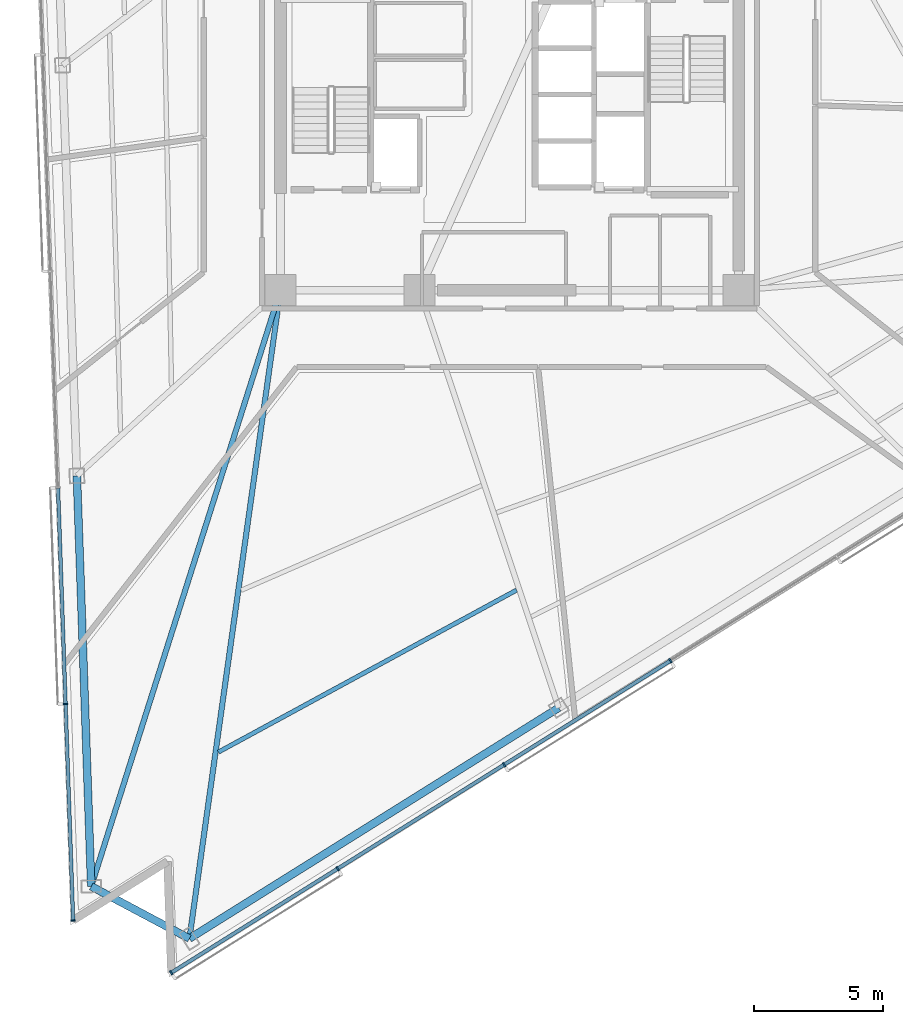
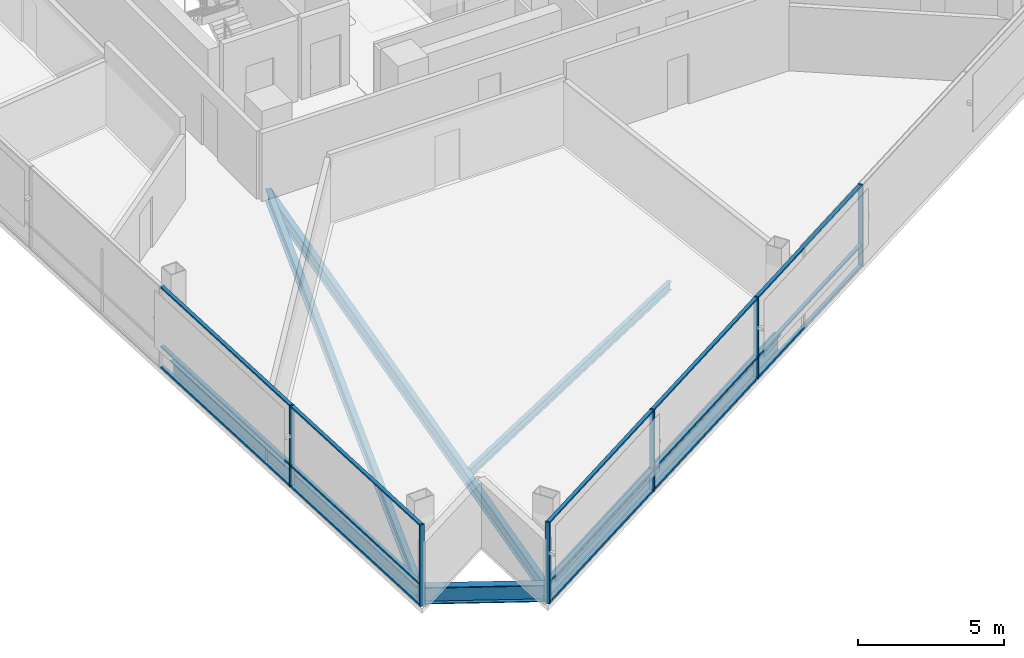
# One storey, part 2 of 20: 21 members, 6 beams, 2 elements without a shape of their own.
"""IFC4 building model written with IfcOpenShell, lengths in metres."""

from ifc_helpers import new_model, si_unit, direction, frame, origin, origin_2d, place, context, subcontext, project, spatial, rectangle, i_section, extrude, material, layer, layer_set, material_profile, profile_set, type_object, element, aggregate, save


model = new_model("IFC4")

# Units and contexts
model_context = context("Model", 3, precision=1e-05, world=origin(), true_north=direction((0.0, 1.0)))
body_context = subcontext(model_context, "Body", "Model", "MODEL_VIEW")
ifc_project = project(units=[si_unit("LENGTHUNIT", "METRE"), si_unit("AREAUNIT", "SQUARE_METRE"), si_unit("VOLUMEUNIT", "CUBIC_METRE"), si_unit("PLANEANGLEUNIT", "RADIAN"), si_unit("MASSUNIT", "GRAM", prefix="KILO")], contexts=[model_context])

# Site, building, storey
site_placement = place(None, origin())
site = spatial("IfcSite", under=ifc_project, at=site_placement, CompositionType="ELEMENT")
building_placement = place(site_placement, origin())
building = spatial("IfcBuilding", under=site, at=building_placement, Name="Tharavind Bronze Gate", CompositionType="ELEMENT")
storey_placement = place(building_placement, frame((0.0, 0.0, 146.0)))
storey = spatial("IfcBuildingStorey", under=building, at=storey_placement, Name="L37", CompositionType="ELEMENT", Elevation=146.0)

# Curtain wall, members
ifc_material_1 = material(Name="Anodised Bronze Aluminium", Category="aluminium")
ifc_layer = layer(ifc_material_1, 0.219970703125)
ifc_layer_set = layer_set([ifc_layer], Name="Anodised Bronze Aluminium")
curtain_wall_type = type_object("IfcCurtainWallType", Name="UNITISED CURTAIN WALL MID OFFICE", PredefinedType="USERDEFINED", material=ifc_layer_set)
curtain_wall_1_placement = place(storey_placement, origin())
curtain_wall_1 = element("IfcCurtainWall", 1, at=curtain_wall_1_placement, inside=storey, type_object=curtain_wall_type, Name="L37 unitised curtain wall mid office CW-L37-S1", ObjectType="UNITISED CURTAIN WALL", PredefinedType="USERDEFINED")
member_type_1 = type_object("IfcMemberType", Name="CURTAIN WALL BRONZE MULLION 65X180", PredefinedType="MULLION", material=ifc_material_1)
member_1_placement = place(storey_placement, frame((-17.25146484375, -23.6826171875, 0.0), z_axis=(0.0, 0.0, 1.0), x_axis=(0.034899496703, -0.999390827019, 0.0)))
member_1 = element("IfcMember", 2, at=member_1_placement, type_object=member_type_1, Name="CW-L37-S1 mullion 6", PredefinedType="MULLION", context=body_context, shape_type="SweptSolid", body=[
    extrude(rectangle(XDim=0.06494140625, YDim=0.179931640625, at=origin_2d()), origin(), (0.0, 0.0, 1.0), 3.409912109375),
])
member_2_placement = place(storey_placement, frame((-16.957763671875, -32.092041015625, 0.0), z_axis=(0.0, 0.0, 1.0), x_axis=(0.034899496703, -0.999390827019, 0.0)))
member_2 = element("IfcMember", 3, at=member_2_placement, type_object=member_type_1, Name="CW-L37-S1 mullion 7", PredefinedType="MULLION", context=body_context, shape_type="SweptSolid", body=[
    extrude(rectangle(XDim=0.06494140625, YDim=0.179931640625, at=origin_2d()), origin(), (0.0, 0.0, 1.0), 3.409912109375),
])

curtain_wall_2_placement = place(storey_placement, origin())
curtain_wall_2 = element("IfcCurtainWall", 4, at=curtain_wall_2_placement, inside=storey, type_object=curtain_wall_type, Name="L37 unitised curtain wall mid office CW-L37-S2", ObjectType="UNITISED CURTAIN WALL", PredefinedType="USERDEFINED")
member_3_placement = place(storey_placement, frame((-13.1435546875, -34.120361328125, 0.0), z_axis=(0.0, 0.0, 1.0), x_axis=(0.848048096156, 0.529919264233, 0.0)))
member_3 = element("IfcMember", 5, at=member_3_placement, type_object=member_type_1, Name="CW-L37-S2 mullion 1", PredefinedType="MULLION", context=body_context, shape_type="SweptSolid", body=[
    extrude(rectangle(XDim=0.06494140625, YDim=0.179931640625, at=origin_2d()), origin(), (0.0, 0.0, 1.0), 3.409912109375),
])
member_4_placement = place(storey_placement, frame((-6.677978515625, -30.080078125, 0.0), z_axis=(0.0, 0.0, 1.0), x_axis=(0.848048096156, 0.529919264233, 0.0)))
member_4 = element("IfcMember", 6, at=member_4_placement, type_object=member_type_1, Name="CW-L37-S2 mullion 2", PredefinedType="MULLION", context=body_context, shape_type="SweptSolid", body=[
    extrude(rectangle(XDim=0.06494140625, YDim=0.179931640625, at=origin_2d()), origin(), (0.0, 0.0, 1.0), 3.409912109375),
])
member_5_placement = place(storey_placement, frame((-0.212646484375, -26.040283203125, 0.0), z_axis=(0.0, 0.0, 1.0), x_axis=(0.848048096156, 0.529919264233, 0.0)))
member_5 = element("IfcMember", 7, at=member_5_placement, type_object=member_type_1, Name="CW-L37-S2 mullion 3", PredefinedType="MULLION", context=body_context, shape_type="SweptSolid", body=[
    extrude(rectangle(XDim=0.06494140625, YDim=0.179931640625, at=origin_2d()), origin(), (0.0, 0.0, 1.0), 3.409912109375),
])
member_6_placement = place(storey_placement, frame((6.252685546875, -22.0, 0.0), z_axis=(0.0, 0.0, 1.0), x_axis=(0.848048096156, 0.529919264233, 0.0)))
member_6 = element("IfcMember", 8, at=member_6_placement, type_object=member_type_1, Name="CW-L37-S2 mullion 4", PredefinedType="MULLION", context=body_context, shape_type="SweptSolid", body=[
    extrude(rectangle(XDim=0.06494140625, YDim=0.179931640625, at=origin_2d()), origin(), (0.0, 0.0, 1.0), 3.409912109375),
])

# Member
member_type_2 = type_object("IfcMemberType", Name="CURTAIN WALL BRONZE TRANSOM 65X140", PredefinedType="USERDEFINED", material=ifc_material_1)
member_7_placement = place(storey_placement, frame((-17.398193359375, -19.477783203125, 0.0), z_axis=(0.0, 0.0, 1.0), x_axis=(0.034899496703, -0.999390827019, 0.0)))
member_7 = element("IfcMember", 9, at=member_7_placement, type_object=member_type_2, Name="CW-L37-S1 transom TB5", ObjectType="TRANSOM", PredefinedType="USERDEFINED", context=body_context, shape_type="SweptSolid", body=[
    extrude(rectangle(XDim=8.361572265625, YDim=0.139892578125, at=origin_2d()), origin(), (0.0, 0.0, 1.0), 0.06494140625),
])

member_8_placement = place(storey_placement, frame((-17.398193359375, -19.477783203125, 0.867431640625), z_axis=(0.0, 0.0, 1.0), x_axis=(0.034899496703, -0.999390827019, 0.0)))
member_8 = element("IfcMember", 10, at=member_8_placement, type_object=member_type_2, Name="CW-L37-S1 transom TS5", ObjectType="TRANSOM", PredefinedType="USERDEFINED", context=body_context, shape_type="SweptSolid", body=[
    extrude(rectangle(XDim=8.361572265625, YDim=0.139892578125, at=origin_2d()), origin(), (0.0, 0.0, 1.0), 0.06494140625),
])

member_9_placement = place(storey_placement, frame((-17.398193359375, -19.477783203125, 3.344970703125), z_axis=(0.0, 0.0, 1.0), x_axis=(0.034899496703, -0.999390827019, 0.0)))
member_9 = element("IfcMember", 11, at=member_9_placement, type_object=member_type_2, Name="CW-L37-S1 transom TT5", ObjectType="TRANSOM", PredefinedType="USERDEFINED", context=body_context, shape_type="SweptSolid", body=[
    extrude(rectangle(XDim=8.361572265625, YDim=0.139892578125, at=origin_2d()), origin(), (0.0, 0.0, 1.0), 0.06494140625),
])

member_10_placement = place(storey_placement, frame((-17.1044921875, -27.887451171875, 0.0), z_axis=(0.0, 0.0, 1.0), x_axis=(0.034899496703, -0.999390827019, 0.0)))
member_10 = element("IfcMember", 12, at=member_10_placement, type_object=member_type_2, Name="CW-L37-S1 transom TB6", ObjectType="TRANSOM", PredefinedType="USERDEFINED", context=body_context, shape_type="SweptSolid", body=[
    extrude(rectangle(XDim=8.361572265625, YDim=0.139892578125, at=origin_2d()), origin(), (0.0, 0.0, 1.0), 0.06494140625),
])

member_11_placement = place(storey_placement, frame((-17.1044921875, -27.887451171875, 0.867431640625), z_axis=(0.0, 0.0, 1.0), x_axis=(0.034899496703, -0.999390827019, 0.0)))
member_11 = element("IfcMember", 13, at=member_11_placement, type_object=member_type_2, Name="CW-L37-S1 transom TS6", ObjectType="TRANSOM", PredefinedType="USERDEFINED", context=body_context, shape_type="SweptSolid", body=[
    extrude(rectangle(XDim=8.361572265625, YDim=0.139892578125, at=origin_2d()), origin(), (0.0, 0.0, 1.0), 0.06494140625),
])

member_12_placement = place(storey_placement, frame((-17.1044921875, -27.887451171875, 3.344970703125), z_axis=(0.0, 0.0, 1.0), x_axis=(0.034899496703, -0.999390827019, 0.0)))
member_12 = element("IfcMember", 14, at=member_12_placement, type_object=member_type_2, Name="CW-L37-S1 transom TT6", ObjectType="TRANSOM", PredefinedType="USERDEFINED", context=body_context, shape_type="SweptSolid", body=[
    extrude(rectangle(XDim=8.361572265625, YDim=0.139892578125, at=origin_2d()), origin(), (0.0, 0.0, 1.0), 0.06494140625),
])

aggregate(curtain_wall_1, [member_1, member_2, member_7, member_8, member_9, member_10, member_11, member_12])

member_13_placement = place(storey_placement, frame((-9.910888671875, -32.100341796875, 0.0), z_axis=(0.0, 0.0, 1.0), x_axis=(0.848048096156, 0.529919264233, 0.0)))
member_13 = element("IfcMember", 15, at=member_13_placement, type_object=member_type_2, Name="CW-L37-S2 transom TB1", ObjectType="TRANSOM", PredefinedType="USERDEFINED", context=body_context, shape_type="SweptSolid", body=[
    extrude(rectangle(XDim=7.57080078125, YDim=0.139892578125, at=origin_2d()), origin(), (0.0, 0.0, 1.0), 0.06494140625),
])

member_14_placement = place(storey_placement, frame((-9.910888671875, -32.100341796875, 0.867431640625), z_axis=(0.0, 0.0, 1.0), x_axis=(0.848048096156, 0.529919264233, 0.0)))
member_14 = element("IfcMember", 16, at=member_14_placement, type_object=member_type_2, Name="CW-L37-S2 transom TS1", ObjectType="TRANSOM", PredefinedType="USERDEFINED", context=body_context, shape_type="SweptSolid", body=[
    extrude(rectangle(XDim=7.57080078125, YDim=0.139892578125, at=origin_2d()), origin(), (0.0, 0.0, 1.0), 0.06494140625),
])

member_15_placement = place(storey_placement, frame((-9.910888671875, -32.100341796875, 3.344970703125), z_axis=(0.0, 0.0, 1.0), x_axis=(0.848048096156, 0.529919264233, 0.0)))
member_15 = element("IfcMember", 17, at=member_15_placement, type_object=member_type_2, Name="CW-L37-S2 transom TT1", ObjectType="TRANSOM", PredefinedType="USERDEFINED", context=body_context, shape_type="SweptSolid", body=[
    extrude(rectangle(XDim=7.57080078125, YDim=0.139892578125, at=origin_2d()), origin(), (0.0, 0.0, 1.0), 0.06494140625),
])

member_16_placement = place(storey_placement, frame((-3.4453125, -28.060302734375, 0.0), z_axis=(0.0, 0.0, 1.0), x_axis=(0.848048096156, 0.529919264233, 0.0)))
member_16 = element("IfcMember", 18, at=member_16_placement, type_object=member_type_2, Name="CW-L37-S2 transom TB2", ObjectType="TRANSOM", PredefinedType="USERDEFINED", context=body_context, shape_type="SweptSolid", body=[
    extrude(rectangle(XDim=7.57080078125, YDim=0.139892578125, at=origin_2d()), origin(), (0.0, 0.0, 1.0), 0.06494140625),
])

member_17_placement = place(storey_placement, frame((-3.4453125, -28.060302734375, 0.867431640625), z_axis=(0.0, 0.0, 1.0), x_axis=(0.848048096156, 0.529919264233, 0.0)))
member_17 = element("IfcMember", 19, at=member_17_placement, type_object=member_type_2, Name="CW-L37-S2 transom TS2", ObjectType="TRANSOM", PredefinedType="USERDEFINED", context=body_context, shape_type="SweptSolid", body=[
    extrude(rectangle(XDim=7.57080078125, YDim=0.139892578125, at=origin_2d()), origin(), (0.0, 0.0, 1.0), 0.06494140625),
])

member_18_placement = place(storey_placement, frame((-3.4453125, -28.060302734375, 3.344970703125), z_axis=(0.0, 0.0, 1.0), x_axis=(0.848048096156, 0.529919264233, 0.0)))
member_18 = element("IfcMember", 20, at=member_18_placement, type_object=member_type_2, Name="CW-L37-S2 transom TT2", ObjectType="TRANSOM", PredefinedType="USERDEFINED", context=body_context, shape_type="SweptSolid", body=[
    extrude(rectangle(XDim=7.57080078125, YDim=0.139892578125, at=origin_2d()), origin(), (0.0, 0.0, 1.0), 0.06494140625),
])

member_19_placement = place(storey_placement, frame((3.02001953125, -24.020263671875, 0.0), z_axis=(0.0, 0.0, 1.0), x_axis=(0.848048096156, 0.529919264233, 0.0)))
member_19 = element("IfcMember", 21, at=member_19_placement, type_object=member_type_2, Name="CW-L37-S2 transom TB3", ObjectType="TRANSOM", PredefinedType="USERDEFINED", context=body_context, shape_type="SweptSolid", body=[
    extrude(rectangle(XDim=7.57080078125, YDim=0.139892578125, at=origin_2d()), origin(), (0.0, 0.0, 1.0), 0.06494140625),
])

member_20_placement = place(storey_placement, frame((3.02001953125, -24.020263671875, 0.867431640625), z_axis=(0.0, 0.0, 1.0), x_axis=(0.848048096156, 0.529919264233, 0.0)))
member_20 = element("IfcMember", 22, at=member_20_placement, type_object=member_type_2, Name="CW-L37-S2 transom TS3", ObjectType="TRANSOM", PredefinedType="USERDEFINED", context=body_context, shape_type="SweptSolid", body=[
    extrude(rectangle(XDim=7.57080078125, YDim=0.139892578125, at=origin_2d()), origin(), (0.0, 0.0, 1.0), 0.06494140625),
])

member_21_placement = place(storey_placement, frame((3.02001953125, -24.020263671875, 3.344970703125), z_axis=(0.0, 0.0, 1.0), x_axis=(0.848048096156, 0.529919264233, 0.0)))
member_21 = element("IfcMember", 23, at=member_21_placement, type_object=member_type_2, Name="CW-L37-S2 transom TT3", ObjectType="TRANSOM", PredefinedType="USERDEFINED", context=body_context, shape_type="SweptSolid", body=[
    extrude(rectangle(XDim=7.57080078125, YDim=0.139892578125, at=origin_2d()), origin(), (0.0, 0.0, 1.0), 0.06494140625),
])

aggregate(curtain_wall_2, [member_3, member_4, member_5, member_6, member_13, member_14, member_15, member_16, member_17, member_18, member_19, member_20, member_21])

# Beams
ifc_material_2 = material(Name="Steel S355", Category="steel")
ifc_material_profile_1 = material_profile(ifc_material_2, i_section(OverallWidth=0.2099609375, OverallDepth=0.550048828125, WebThickness=0.010986328125, FlangeThickness=0.01708984375, at=origin_2d()), Name="IPE550")
ifc_profile_set_1 = profile_set([ifc_material_profile_1], Name="Steel S355")
beam_type_1 = type_object("IfcBeamType", Name="PRIMARY GIRDER IPE550", PredefinedType="USERDEFINED", material=ifc_profile_set_1)
beam_1_placement = place(storey_placement, frame((-16.253662109375, -30.767578125, -0.465087890625), z_axis=(0.302541909504, 0.953136083146, 0.0), x_axis=(-0.953136083146, 0.302541909504, 0.0)))
element("IfcBeam", 24, at=beam_1_placement, inside=storey, type_object=beam_type_1, Name="L37 primary girder ipe550 BM-L37-RAD04", ObjectType="GIRDER", PredefinedType="USERDEFINED", context=body_context, shape_type="SweptSolid", body=[
    extrude(i_section(OverallWidth=0.2099609375, OverallDepth=0.550048828125, WebThickness=0.010986328125, FlangeThickness=0.01708984375, at=origin_2d()), origin(), (0.0, 0.0, 1.0), 24.306640625),
])
beam_2_placement = place(storey_placement, frame((-12.439208984375, -32.7958984375, -0.465087890625), z_axis=(0.139106336947, 0.990277449517, 0.0), x_axis=(-0.990277449517, 0.139106336947, 0.0)))
element("IfcBeam", 25, at=beam_2_placement, inside=storey, type_object=beam_type_1, Name="L37 primary girder ipe550 BM-L37-RAD05", ObjectType="GIRDER", PredefinedType="USERDEFINED", context=body_context, shape_type="SweptSolid", body=[
    extrude(i_section(OverallWidth=0.2099609375, OverallDepth=0.550048828125, WebThickness=0.010986328125, FlangeThickness=0.01708984375, at=origin_2d()), origin(), (0.0, 0.0, 1.0), 25.443115234375),
])
ifc_material_profile_2 = material_profile(ifc_material_2, i_section(OverallWidth=0.300048828125, OverallDepth=0.699951171875, WebThickness=0.01708984375, FlangeThickness=0.031982421875, at=origin_2d()), Name="HE700B")
ifc_profile_set_2 = profile_set([ifc_material_profile_2], Name="Steel S355")
beam_type_2 = type_object("IfcBeamType", Name="RING GIRDER HE700B", PredefinedType="USERDEFINED", material=ifc_profile_set_2)
beam_3_placement = place(storey_placement, frame((-16.810791015625, -14.814208984375, -0.5400390625), z_axis=(0.034901059648, -0.999390772439, 0.0), x_axis=(0.999390772439, 0.034901059648, 0.0)))
element("IfcBeam", 26, at=beam_3_placement, inside=storey, type_object=beam_type_2, Name="L37 ring girder he700b BM-L37-PRG03", ObjectType="GIRDER", PredefinedType="USERDEFINED", context=body_context, shape_type="SweptSolid", body=[
    extrude(i_section(OverallWidth=0.300048828125, OverallDepth=0.699951171875, WebThickness=0.01708984375, FlangeThickness=0.031982421875, at=origin_2d()), origin(), (0.0, 0.0, 1.0), 15.963134765625),
])
beam_4_placement = place(storey_placement, frame((-16.253662109375, -30.767578125, -0.5400390625), z_axis=(0.882934197132, -0.469496755618, 0.0), x_axis=(0.469496755618, 0.882934197132, 0.0)))
element("IfcBeam", 27, at=beam_4_placement, inside=storey, type_object=beam_type_2, Name="L37 ring girder he700b BM-L37-PRG04", ObjectType="GIRDER", PredefinedType="USERDEFINED", context=body_context, shape_type="SweptSolid", body=[
    extrude(i_section(OverallWidth=0.300048828125, OverallDepth=0.699951171875, WebThickness=0.01708984375, FlangeThickness=0.031982421875, at=origin_2d()), origin(), (0.0, 0.0, 1.0), 4.3203125),
])
beam_5_placement = place(storey_placement, frame((-12.439208984375, -32.7958984375, -0.5400390625), z_axis=(0.84804368744, 0.529926319589, 0.0), x_axis=(-0.529926319589, 0.84804368744, 0.0)))
element("IfcBeam", 28, at=beam_5_placement, inside=storey, type_object=beam_type_2, Name="L37 ring girder he700b BM-L37-PRG05", ObjectType="GIRDER", PredefinedType="USERDEFINED", context=body_context, shape_type="SweptSolid", body=[
    extrude(i_section(OverallWidth=0.300048828125, OverallDepth=0.699951171875, WebThickness=0.01708984375, FlangeThickness=0.031982421875, at=origin_2d()), origin(), (0.0, 0.0, 1.0), 16.923095703125),
])
ifc_material_profile_3 = material_profile(ifc_material_2, i_section(OverallWidth=0.169921875, OverallDepth=0.360107421875, WebThickness=0.008056640625, FlangeThickness=0.0126953125, at=origin_2d()), Name="IPE360")
ifc_profile_set_3 = profile_set([ifc_material_profile_3], Name="Steel S355")
beam_type_3 = type_object("IfcBeamType", Name="SECONDARY FLOOR JOIST IPE360", PredefinedType="JOIST", material=ifc_profile_set_3)
beam_6_placement = place(storey_placement, frame((-11.312255859375, -25.55078125, -0.3701171875), z_axis=(0.878664364141, 0.477439980718, 0.0), x_axis=(-0.477439980718, 0.878664364141, 0.0)))
element("IfcBeam", 29, at=beam_6_placement, inside=storey, type_object=beam_type_3, Name="L37 secondary floor joist ipe360 BM-L37-JSTB05", PredefinedType="JOIST", context=body_context, shape_type="SweptSolid", body=[
    extrude(i_section(OverallWidth=0.169921875, OverallDepth=0.360107421875, WebThickness=0.008056640625, FlangeThickness=0.0126953125, at=origin_2d()), origin(), (0.0, 0.0, 1.0), 13.184814453125),
])

save(model, "model.ifc")
